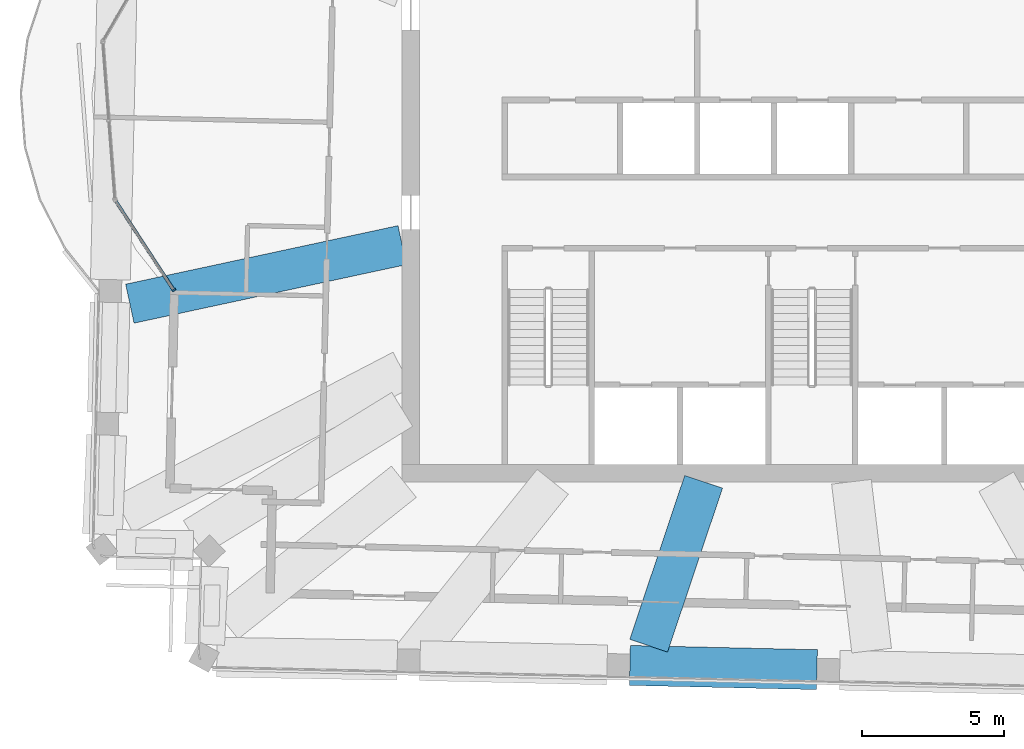
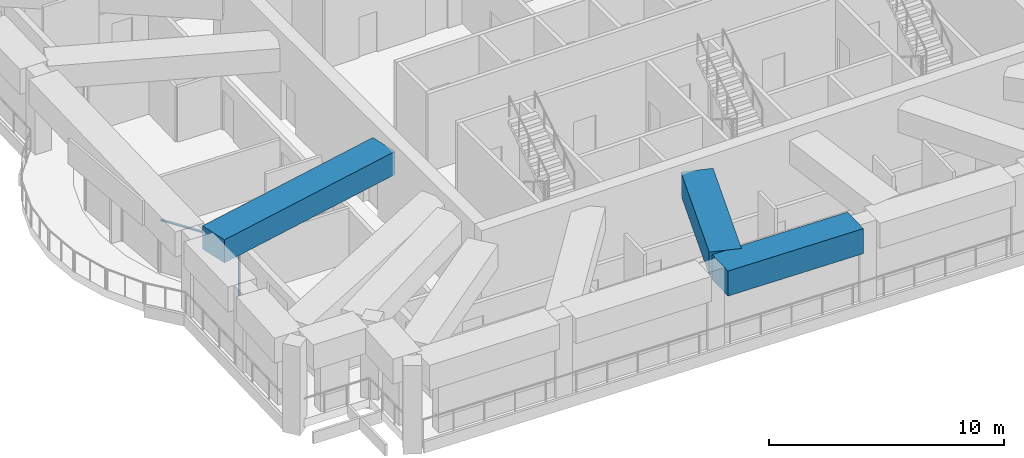
# One storey, part 2 of 19: 3 beams, 2 members, 1 element without a shape of its own.
"""IFC4 building model written with IfcOpenShell, lengths in metres."""

from ifc_helpers import new_model, si_unit, direction, frame, origin, origin_2d, place, context, subcontext, project, spatial, rectangle, extrude, material, material_profile, profile_set, type_object, element, aggregate, save


model = new_model("IFC4")

# Units and contexts
model_context = context("Model", 3, precision=1e-05, world=origin(), true_north=direction((0.0, 1.0)))
body_context = subcontext(model_context, "Body", "Model", "MODEL_VIEW")
ifc_project = project(units=[si_unit("LENGTHUNIT", "METRE"), si_unit("AREAUNIT", "SQUARE_METRE"), si_unit("VOLUMEUNIT", "CUBIC_METRE"), si_unit("PLANEANGLEUNIT", "RADIAN"), si_unit("MASSUNIT", "GRAM", prefix="KILO")], contexts=[model_context])

# Site, building, storey
site_placement = place(None, origin())
site = spatial("IfcSite", under=ifc_project, at=site_placement, CompositionType="ELEMENT")
building_placement = place(site_placement, origin())
building = spatial("IfcBuilding", under=site, at=building_placement, Name="Mangrove Gate Tower", CompositionType="ELEMENT")
storey_placement = place(building_placement, frame((0.0, 0.0, 346.10009765625)))
storey = spatial("IfcBuildingStorey", under=building, at=storey_placement, Name="L88", CompositionType="ELEMENT", Elevation=346.10009765625)

# Curtain wall, members
ifc_material_1 = material(Name="Aluminium and glass curtain wall", Category="aluminium")
curtain_wall_type = type_object("IfcCurtainWallType", Name="Crown garden glazing wall", PredefinedType="NOTDEFINED", material=ifc_material_1)
curtain_wall_placement = place(storey_placement, origin())
curtain_wall = element("IfcCurtainWall", 1, at=curtain_wall_placement, inside=storey, type_object=curtain_wall_type, Name="Crown garden glazing W9f3", PredefinedType="NOTDEFINED")
ifc_material_2 = material(Name="Aluminium alloy 6063-T6", Category="aluminium")
ifc_material_profile_1 = material_profile(ifc_material_2, rectangle(XDim=0.06005859375, YDim=0.139892578125, at=origin_2d()))
ifc_profile_set_1 = profile_set([ifc_material_profile_1], Name="Aluminium alloy 6063-T6")
member_type_1 = type_object("IfcMemberType", Name="Crown garden glazing mullion 60x140", PredefinedType="MULLION", material=ifc_profile_set_1)
member_1_placement = place(storey_placement, frame((-22.415771484375, -4.67529296875, 0.0), z_axis=(0.0, 0.0, 1.0), x_axis=(0.546235085045, -0.837631919083, 0.0)))
member_1 = element("IfcMember", 2, at=member_1_placement, type_object=member_type_1, Name="CWC mullion 2", PredefinedType="MULLION", context=body_context, shape_type="SweptSolid", body=[
    extrude(rectangle(XDim=0.06005859375, YDim=0.139892578125, at=origin_2d()), origin(), (0.0, 0.0, 1.0), 2.75),
])
ifc_material_3 = material(Name="Aluminium alloy 6063-T6", Category="aluminium")
ifc_material_profile_2 = material_profile(ifc_material_3, rectangle(XDim=0.06005859375, YDim=0.110107421875, at=origin_2d()))
ifc_profile_set_2 = profile_set([ifc_material_profile_2], Name="Aluminium alloy 6063-T6")
member_type_2 = type_object("IfcMemberType", Name="Crown garden glazing transom 60x110", PredefinedType="USERDEFINED", material=ifc_profile_set_2)
member_2_placement = place(storey_placement, frame((-24.451171875, -1.55419921875, 2.719970703125), z_axis=(0.546257706122, -0.837617167029, 0.0), x_axis=(0.0, 0.0, 1.0)))
member_2 = element("IfcMember", 3, at=member_2_placement, type_object=member_type_2, Name="CWC transom 1.2", ObjectType="TRANSOM", PredefinedType="USERDEFINED", context=body_context, shape_type="SweptSolid", body=[
    extrude(rectangle(XDim=0.06005859375, YDim=0.110107421875, at=origin_2d()), origin(), (0.0, 0.0, 1.0), 3.696044921875),
])
aggregate(curtain_wall, [member_1, member_2])

# Beams
ifc_material_4 = material(Name="Concrete C50/60", Category="concrete")
ifc_material_profile_3 = material_profile(ifc_material_4, rectangle(XDim=1.39990234375, YDim=1.199951171875, at=origin_2d()))
ifc_profile_set_3 = profile_set([ifc_material_profile_3], Name="Concrete C50/60")
beam_type_1 = type_object("IfcBeamType", Name="Transfer girder RC 1400x1200 C50/60", PredefinedType="BEAM", material=ifc_profile_set_3)
beam_1_placement = place(storey_placement, frame((-14.39990234375, -3.094970703125, 3.449951171875), z_axis=(-0.977668117931, -0.210154826688, 0.0), x_axis=(0.210154826688, -0.977668117931, 0.0)))
element("IfcBeam", 4, at=beam_1_placement, inside=storey, type_object=beam_type_1, Name="Transfer girder L88 00", PredefinedType="BEAM", context=body_context, shape_type="SweptSolid", body=[
    extrude(rectangle(XDim=1.39990234375, YDim=1.199951171875, at=origin_2d()), origin(), (0.0, 0.0, 1.0), 9.778076171875),
])
beam_2_placement = place(storey_placement, frame((-3.82177734375, -11.39990234375, 3.449951171875), z_axis=(-0.317844487727, -0.948142859289, 0.0), x_axis=(0.948142859289, -0.317844487727, 0.0)))
element("IfcBeam", 5, at=beam_2_placement, inside=storey, type_object=beam_type_1, Name="Transfer girder L88 05", PredefinedType="BEAM", context=body_context, shape_type="SweptSolid", body=[
    extrude(rectangle(XDim=1.39990234375, YDim=1.199951171875, at=origin_2d()), origin(), (0.0, 0.0, 1.0), 6.06884765625),
])
ifc_material_5 = material(Name="Concrete C50/60", Category="concrete")
ifc_material_profile_4 = material_profile(ifc_material_5, rectangle(XDim=1.39990234375, YDim=1.300048828125, at=origin_2d()))
ifc_profile_set_4 = profile_set([ifc_material_profile_4], Name="Concrete C50/60")
beam_type_2 = type_object("IfcBeamType", Name="Transfer girder RC 1400x1300 C50/60", PredefinedType="BEAM", material=ifc_profile_set_4)
beam_3_placement = place(storey_placement, frame((-6.41015625, -17.84619140625, 3.39990234375), z_axis=(0.9997428326, -0.022677492484, 0.0), x_axis=(0.022677492484, 0.9997428326, 0.0)))
element("IfcBeam", 6, at=beam_3_placement, inside=storey, type_object=beam_type_2, Name="Transfer ring girder L88 06", PredefinedType="BEAM", context=body_context, shape_type="SweptSolid", body=[
    extrude(rectangle(XDim=1.39990234375, YDim=1.300048828125, at=origin_2d()), origin(), (0.0, 0.0, 1.0), 6.567138671875),
])

save(model, "model.ifc")
